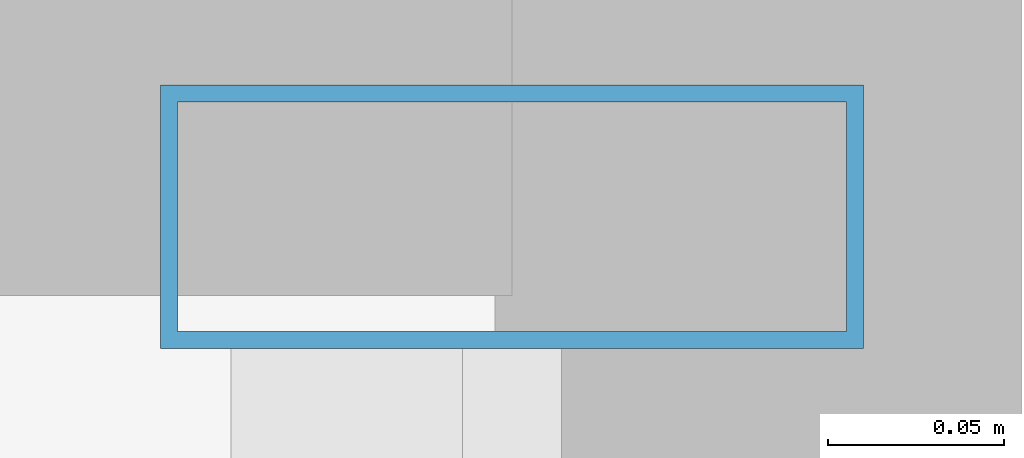
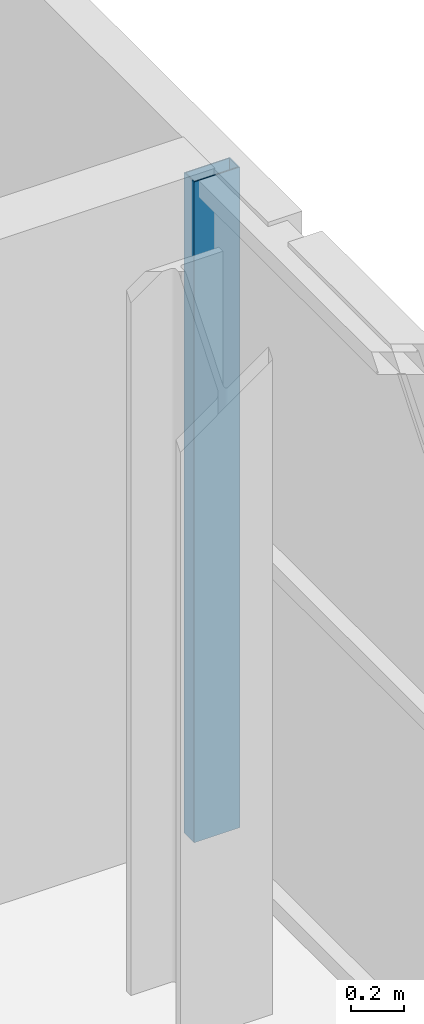
# One storey, part 18 of 28: 1 member, 1 element without a shape of its own.
"""IFC4 building model written with IfcOpenShell, lengths in metres."""

from ifc_helpers import new_model, si_unit, direction, frame, origin, origin_2d, place, context, subcontext, project, spatial, hollow_rectangle, extrude, source, transform, mapped, material, layer, layer_set, material_profile, profile_set, type_object, element, aggregate, save


model = new_model("IFC4")

# Units and contexts
model_context = context("Model", 3, precision=1e-05, world=origin(), true_north=direction((0.0, 1.0)))
body_context = subcontext(model_context, "Body", "Model", "MODEL_VIEW")
ifc_project = project(units=[si_unit("LENGTHUNIT", "METRE"), si_unit("AREAUNIT", "SQUARE_METRE"), si_unit("VOLUMEUNIT", "CUBIC_METRE"), si_unit("PLANEANGLEUNIT", "RADIAN"), si_unit("MASSUNIT", "GRAM", prefix="KILO")], contexts=[model_context])

# Site, building, storey
site_placement = place(None, origin())
site = spatial("IfcSite", under=ifc_project, at=site_placement, CompositionType="ELEMENT")
building_placement = place(site_placement, origin())
building = spatial("IfcBuilding", under=site, at=building_placement, Name="Zarnakvel Exchange Tower", CompositionType="ELEMENT")
storey_placement = place(building_placement, frame((0.0, 0.0, 90.10009765625)))
storey = spatial("IfcBuildingStorey", under=building, at=storey_placement, Name="L24", CompositionType="ELEMENT", Elevation=90.10009765625)

# Curtain wall, member
ifc_material = material(Name="Architectural Bronze Anodised Aluminium", Category="aluminium")
ifc_layer = layer(ifc_material, 0.199951171875)
ifc_layer_set = layer_set([ifc_layer], Name="Architectural Bronze Anodised Aluminium")
curtain_wall_type = type_object("IfcCurtainWallType", Name="CW-04", PredefinedType="NOTDEFINED", material=ifc_layer_set)
curtain_wall_placement = place(storey_placement, origin())
curtain_wall = element("IfcCurtainWall", 1, at=curtain_wall_placement, inside=storey, type_object=curtain_wall_type, Name="L24 Curtain Wall CW-L24-E1 (CW-04)", PredefinedType="NOTDEFINED")
ifc_material_profile = material_profile(ifc_material, hollow_rectangle(XDim=0.199951171875, YDim=0.074951171875, WallThickness=0.0048828125, at=origin_2d()))
ifc_profile_set = profile_set([ifc_material_profile], Name="Architectural Bronze Anodised Aluminium")
member_type = type_object("IfcMemberType", Name="CWM-04", PredefinedType="MULLION", material=ifc_profile_set)
shared_shape = source(origin(), body_context, "Body", "SweptSolid", [
    extrude(hollow_rectangle(XDim=0.199951171875, YDim=0.074951171875, WallThickness=0.0048828125, at=origin_2d()), origin(), (0.0, 0.0, 1.0), 3.054931640625),
])
member_placement = place(storey_placement, frame((25.4599609375, 14.46240234375, 0.0), z_axis=(0.0, 0.0, 1.0), x_axis=(-1.0, 0.0, 0.0)))
member = element("IfcMember", 2, at=member_placement, type_object=member_type, Name="CW-04 mullion 5", PredefinedType="MULLION", context=body_context, shape_type="MappedRepresentation", body=[
    mapped(shared_shape, transform((0.0, 0.0, 0.0), x_axis=(1.0, 0.0, 0.0), y_axis=(0.0, 1.0, 0.0), z_axis=(0.0, 0.0, 1.0), scale=1.0)),
])
aggregate(curtain_wall, [member])

save(model, "model.ifc")
